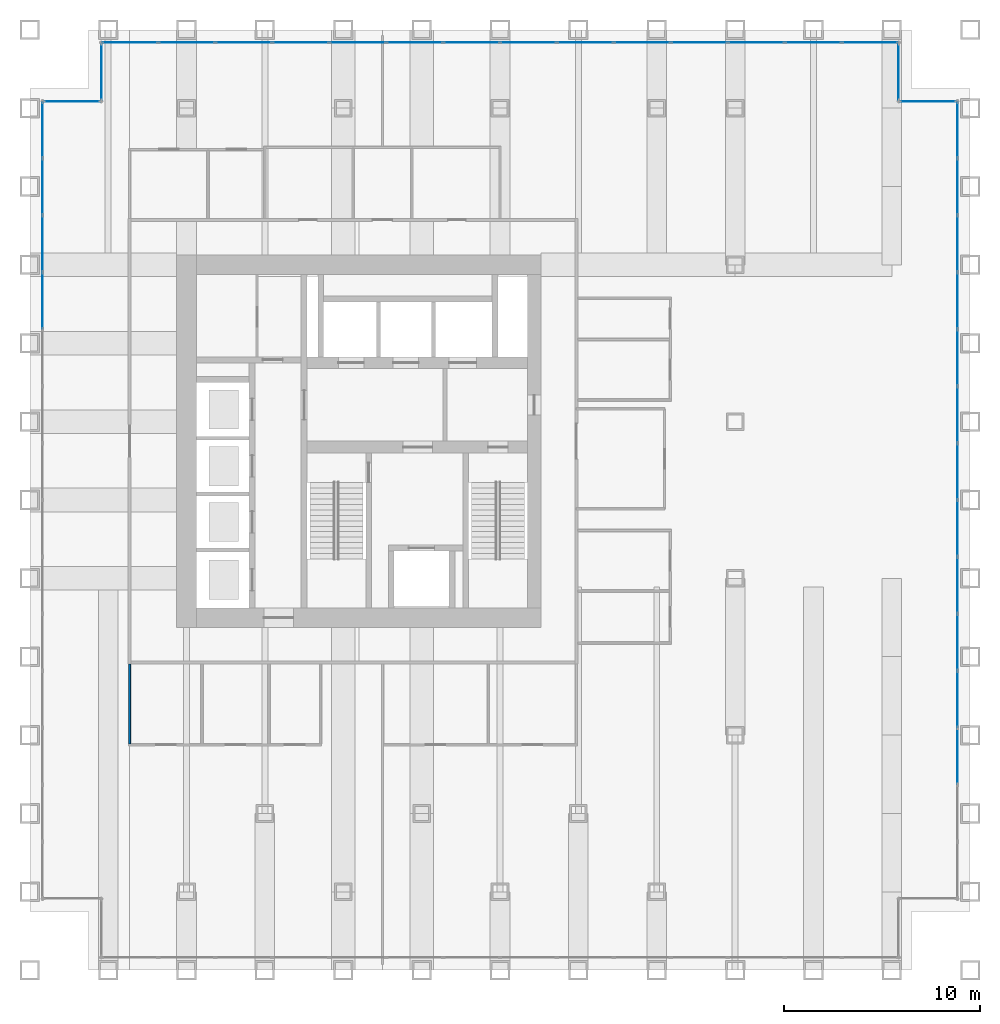
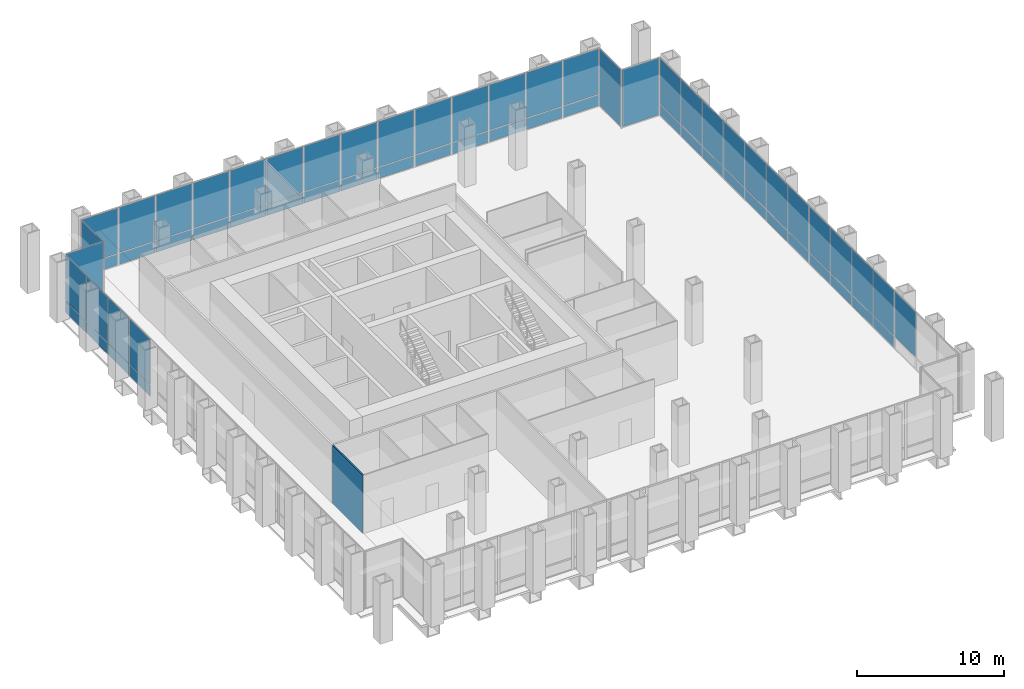
# One storey, part 11 of 16: 63 plates, 1 wall, 7 elements without a shape of their own.
"""IFC4 building model written with IfcOpenShell, lengths in metres."""

from ifc_helpers import new_model, si_unit, direction, frame, frame_2d, origin, origin_2d, place, context, subcontext, project, spatial, rectangle, extrude, material, layer, layer_set, type_object, element, aggregate, save


model = new_model("IFC4")

# Units and contexts
model_context = context("Model", 3, precision=1e-05, world=origin(), true_north=direction((0.0, 1.0)))
body_context = subcontext(model_context, "Body", "Model", "MODEL_VIEW")
ifc_project = project(units=[si_unit("LENGTHUNIT", "METRE"), si_unit("AREAUNIT", "SQUARE_METRE"), si_unit("VOLUMEUNIT", "CUBIC_METRE"), si_unit("PLANEANGLEUNIT", "RADIAN"), si_unit("MASSUNIT", "GRAM", prefix="KILO")], contexts=[model_context])

# Site, building, storey
site_placement = place(None, origin())
site = spatial("IfcSite", under=ifc_project, at=site_placement, CompositionType="ELEMENT")
building_placement = place(site_placement, origin())
building = spatial("IfcBuilding", under=site, at=building_placement, Name="Rimbunsela Tower", CompositionType="ELEMENT")
storey_placement = place(building_placement, frame((0.0, 0.0, 76.39990234375)))
storey = spatial("IfcBuildingStorey", under=building, at=storey_placement, Name="L18", CompositionType="ELEMENT", Elevation=76.39990234375)

# Curtain wall, plates
ifc_material_1 = material(Name="Aluminium curtain wall", Category="aluminium")
curtain_wall_type_1 = type_object("IfcCurtainWallType", Name="Sky lobby glazing", PredefinedType="USERDEFINED", material=ifc_material_1)
curtain_wall_1_placement = place(storey_placement, origin())
curtain_wall_1 = element("IfcCurtainWall", 1, at=curtain_wall_1_placement, inside=storey, type_object=curtain_wall_type_1, Name="Sky lobby glazing L18", ObjectType="SKY LOBBY GLAZING", PredefinedType="USERDEFINED")
ifc_material_2 = material(Name="Clear double glazing", Category="glass")
ifc_layer_1 = layer(ifc_material_2, 0.028076171875)
ifc_layer_set_1 = layer_set([ifc_layer_1], Name="Glazed panel clear")
plate_type = type_object("IfcPlateType", Name="Glazed panel clear", PredefinedType="CURTAIN_PANEL", material=ifc_layer_set_1)
plate_1_placement = place(storey_placement, frame((57.35009765625, 10.91796875, 1.0302734375), z_axis=(0.0, 0.0, 1.0), x_axis=(0.0, 1.0, 0.0)))
plate_1 = element("IfcPlate", 2, at=plate_1_placement, type_object=plate_type, Name="CW4 panel 3.2", PredefinedType="CURTAIN_PANEL", context=body_context, shape_type="SweptSolid", body=[
    extrude(rectangle(XDim=2.84716796875, YDim=0.028076171875, at=origin_2d()), origin(), (0.0, 0.0, 1.0), 3.760009765625),
])
plate_2_placement = place(storey_placement, frame((57.35009765625, 13.824951171875, 0.06005859375), z_axis=(0.0, 0.0, 1.0), x_axis=(0.0, 1.0, 0.0)))
plate_2 = element("IfcPlate", 3, at=plate_2_placement, type_object=plate_type, Name="CW4 panel 4.1", PredefinedType="CURTAIN_PANEL", context=body_context, shape_type="SweptSolid", body=[
    extrude(rectangle(XDim=2.84716796875, YDim=0.028076171875, at=origin_2d()), origin(), (0.0, 0.0, 1.0), 0.909912109375),
])
plate_3_placement = place(storey_placement, frame((57.35009765625, 13.824951171875, 1.0302734375), z_axis=(0.0, 0.0, 1.0), x_axis=(0.0, 1.0, 0.0)))
plate_3 = element("IfcPlate", 4, at=plate_3_placement, type_object=plate_type, Name="CW4 panel 4.2", PredefinedType="CURTAIN_PANEL", context=body_context, shape_type="SweptSolid", body=[
    extrude(rectangle(XDim=2.84716796875, YDim=0.028076171875, at=origin_2d()), origin(), (0.0, 0.0, 1.0), 3.760009765625),
])
plate_4_placement = place(storey_placement, frame((57.35009765625, 16.732177734375, 0.06005859375), z_axis=(0.0, 0.0, 1.0), x_axis=(0.0, 1.0, 0.0)))
plate_4 = element("IfcPlate", 5, at=plate_4_placement, type_object=plate_type, Name="CW4 panel 5.1", PredefinedType="CURTAIN_PANEL", context=body_context, shape_type="SweptSolid", body=[
    extrude(rectangle(XDim=2.84716796875, YDim=0.028076171875, at=origin_2d()), origin(), (0.0, 0.0, 1.0), 0.909912109375),
])
plate_5_placement = place(storey_placement, frame((57.35009765625, 16.732177734375, 1.0302734375), z_axis=(0.0, 0.0, 1.0), x_axis=(0.0, 1.0, 0.0)))
plate_5 = element("IfcPlate", 6, at=plate_5_placement, type_object=plate_type, Name="CW4 panel 5.2", PredefinedType="CURTAIN_PANEL", context=body_context, shape_type="SweptSolid", body=[
    extrude(rectangle(XDim=2.84716796875, YDim=0.028076171875, at=origin_2d()), origin(), (0.0, 0.0, 1.0), 3.760009765625),
])
plate_6_placement = place(storey_placement, frame((57.35009765625, 19.639404296875, 0.06005859375), z_axis=(0.0, 0.0, 1.0), x_axis=(0.0, 1.0, 0.0)))
plate_6 = element("IfcPlate", 7, at=plate_6_placement, type_object=plate_type, Name="CW4 panel 6.1", PredefinedType="CURTAIN_PANEL", context=body_context, shape_type="SweptSolid", body=[
    extrude(rectangle(XDim=2.84716796875, YDim=0.028076171875, at=origin_2d()), origin(), (0.0, 0.0, 1.0), 0.909912109375),
])
plate_7_placement = place(storey_placement, frame((57.35009765625, 19.639404296875, 1.0302734375), z_axis=(0.0, 0.0, 1.0), x_axis=(0.0, 1.0, 0.0)))
plate_7 = element("IfcPlate", 8, at=plate_7_placement, type_object=plate_type, Name="CW4 panel 6.2", PredefinedType="CURTAIN_PANEL", context=body_context, shape_type="SweptSolid", body=[
    extrude(rectangle(XDim=2.84716796875, YDim=0.028076171875, at=origin_2d()), origin(), (0.0, 0.0, 1.0), 3.760009765625),
])
plate_8_placement = place(storey_placement, frame((57.35009765625, 22.54638671875, 0.06005859375), z_axis=(0.0, 0.0, 1.0), x_axis=(0.0, 1.0, 0.0)))
plate_8 = element("IfcPlate", 9, at=plate_8_placement, type_object=plate_type, Name="CW4 panel 7.1", PredefinedType="CURTAIN_PANEL", context=body_context, shape_type="SweptSolid", body=[
    extrude(rectangle(XDim=2.84716796875, YDim=0.028076171875, at=origin_2d()), origin(), (0.0, 0.0, 1.0), 0.909912109375),
])
plate_9_placement = place(storey_placement, frame((57.35009765625, 22.54638671875, 1.0302734375), z_axis=(0.0, 0.0, 1.0), x_axis=(0.0, 1.0, 0.0)))
plate_9 = element("IfcPlate", 10, at=plate_9_placement, type_object=plate_type, Name="CW4 panel 7.2", PredefinedType="CURTAIN_PANEL", context=body_context, shape_type="SweptSolid", body=[
    extrude(rectangle(XDim=2.84716796875, YDim=0.028076171875, at=origin_2d()), origin(), (0.0, 0.0, 1.0), 3.760009765625),
])
plate_10_placement = place(storey_placement, frame((57.35009765625, 25.45361328125, 0.06005859375), z_axis=(0.0, 0.0, 1.0), x_axis=(0.0, 1.0, 0.0)))
plate_10 = element("IfcPlate", 11, at=plate_10_placement, type_object=plate_type, Name="CW4 panel 8.1", PredefinedType="CURTAIN_PANEL", context=body_context, shape_type="SweptSolid", body=[
    extrude(rectangle(XDim=2.84716796875, YDim=0.028076171875, at=origin_2d()), origin(), (0.0, 0.0, 1.0), 0.909912109375),
])
plate_11_placement = place(storey_placement, frame((57.35009765625, 25.45361328125, 1.0302734375), z_axis=(0.0, 0.0, 1.0), x_axis=(0.0, 1.0, 0.0)))
plate_11 = element("IfcPlate", 12, at=plate_11_placement, type_object=plate_type, Name="CW4 panel 8.2", PredefinedType="CURTAIN_PANEL", context=body_context, shape_type="SweptSolid", body=[
    extrude(rectangle(XDim=2.84716796875, YDim=0.028076171875, at=origin_2d()), origin(), (0.0, 0.0, 1.0), 3.760009765625),
])
plate_12_placement = place(storey_placement, frame((57.35009765625, 28.360595703125, 0.06005859375), z_axis=(0.0, 0.0, 1.0), x_axis=(0.0, 1.0, 0.0)))
plate_12 = element("IfcPlate", 13, at=plate_12_placement, type_object=plate_type, Name="CW4 panel 9.1", PredefinedType="CURTAIN_PANEL", context=body_context, shape_type="SweptSolid", body=[
    extrude(rectangle(XDim=2.84716796875, YDim=0.028076171875, at=origin_2d()), origin(), (0.0, 0.0, 1.0), 0.909912109375),
])
plate_13_placement = place(storey_placement, frame((57.35009765625, 28.360595703125, 1.0302734375), z_axis=(0.0, 0.0, 1.0), x_axis=(0.0, 1.0, 0.0)))
plate_13 = element("IfcPlate", 14, at=plate_13_placement, type_object=plate_type, Name="CW4 panel 9.2", PredefinedType="CURTAIN_PANEL", context=body_context, shape_type="SweptSolid", body=[
    extrude(rectangle(XDim=2.84716796875, YDim=0.028076171875, at=origin_2d()), origin(), (0.0, 0.0, 1.0), 3.760009765625),
])
plate_14_placement = place(storey_placement, frame((57.35009765625, 31.267822265625, 0.06005859375), z_axis=(0.0, 0.0, 1.0), x_axis=(0.0, 1.0, 0.0)))
plate_14 = element("IfcPlate", 15, at=plate_14_placement, type_object=plate_type, Name="CW4 panel 10.1", PredefinedType="CURTAIN_PANEL", context=body_context, shape_type="SweptSolid", body=[
    extrude(rectangle(XDim=2.84716796875, YDim=0.028076171875, at=origin_2d()), origin(), (0.0, 0.0, 1.0), 0.909912109375),
])
plate_15_placement = place(storey_placement, frame((57.35009765625, 31.267822265625, 1.0302734375), z_axis=(0.0, 0.0, 1.0), x_axis=(0.0, 1.0, 0.0)))
plate_15 = element("IfcPlate", 16, at=plate_15_placement, type_object=plate_type, Name="CW4 panel 10.2", PredefinedType="CURTAIN_PANEL", context=body_context, shape_type="SweptSolid", body=[
    extrude(rectangle(XDim=2.84716796875, YDim=0.028076171875, at=origin_2d()), origin(), (0.0, 0.0, 1.0), 3.760009765625),
])
plate_16_placement = place(storey_placement, frame((57.35009765625, 34.175048828125, 0.06005859375), z_axis=(0.0, 0.0, 1.0), x_axis=(0.0, 1.0, 0.0)))
plate_16 = element("IfcPlate", 17, at=plate_16_placement, type_object=plate_type, Name="CW4 panel 11.1", PredefinedType="CURTAIN_PANEL", context=body_context, shape_type="SweptSolid", body=[
    extrude(rectangle(XDim=2.84716796875, YDim=0.028076171875, at=origin_2d()), origin(), (0.0, 0.0, 1.0), 0.909912109375),
])
plate_17_placement = place(storey_placement, frame((57.35009765625, 34.175048828125, 1.0302734375), z_axis=(0.0, 0.0, 1.0), x_axis=(0.0, 1.0, 0.0)))
plate_17 = element("IfcPlate", 18, at=plate_17_placement, type_object=plate_type, Name="CW4 panel 11.2", PredefinedType="CURTAIN_PANEL", context=body_context, shape_type="SweptSolid", body=[
    extrude(rectangle(XDim=2.84716796875, YDim=0.028076171875, at=origin_2d()), origin(), (0.0, 0.0, 1.0), 3.760009765625),
])
plate_18_placement = place(storey_placement, frame((57.35009765625, 37.08203125, 0.06005859375), z_axis=(0.0, 0.0, 1.0), x_axis=(0.0, 1.0, 0.0)))
plate_18 = element("IfcPlate", 19, at=plate_18_placement, type_object=plate_type, Name="CW4 panel 12.1", PredefinedType="CURTAIN_PANEL", context=body_context, shape_type="SweptSolid", body=[
    extrude(rectangle(XDim=2.84716796875, YDim=0.028076171875, at=origin_2d()), origin(), (0.0, 0.0, 1.0), 0.909912109375),
])
plate_19_placement = place(storey_placement, frame((57.35009765625, 37.08203125, 1.0302734375), z_axis=(0.0, 0.0, 1.0), x_axis=(0.0, 1.0, 0.0)))
plate_19 = element("IfcPlate", 20, at=plate_19_placement, type_object=plate_type, Name="CW4 panel 12.2", PredefinedType="CURTAIN_PANEL", context=body_context, shape_type="SweptSolid", body=[
    extrude(rectangle(XDim=2.84716796875, YDim=0.028076171875, at=origin_2d()), origin(), (0.0, 0.0, 1.0), 3.760009765625),
])
plate_20_placement = place(storey_placement, frame((57.35009765625, 39.9892578125, 0.06005859375), z_axis=(0.0, 0.0, 1.0), x_axis=(0.0, 1.0, 0.0)))
plate_20 = element("IfcPlate", 21, at=plate_20_placement, type_object=plate_type, Name="CW4 panel 13.1", PredefinedType="CURTAIN_PANEL", context=body_context, shape_type="SweptSolid", body=[
    extrude(rectangle(XDim=2.84716796875, YDim=0.028076171875, at=origin_2d()), origin(), (0.0, 0.0, 1.0), 0.909912109375),
])
plate_21_placement = place(storey_placement, frame((57.35009765625, 39.9892578125, 1.0302734375), z_axis=(0.0, 0.0, 1.0), x_axis=(0.0, 1.0, 0.0)))
plate_21 = element("IfcPlate", 22, at=plate_21_placement, type_object=plate_type, Name="CW4 panel 13.2", PredefinedType="CURTAIN_PANEL", context=body_context, shape_type="SweptSolid", body=[
    extrude(rectangle(XDim=2.84716796875, YDim=0.028076171875, at=origin_2d()), origin(), (0.0, 0.0, 1.0), 3.760009765625),
])
plate_22_placement = place(storey_placement, frame((57.35009765625, 42.88134765625, 0.06005859375), z_axis=(0.0, 0.0, 1.0), x_axis=(0.0, 1.0, 0.0)))
plate_22 = element("IfcPlate", 23, at=plate_22_placement, type_object=plate_type, Name="CW4 panel 14.1", PredefinedType="CURTAIN_PANEL", context=body_context, shape_type="SweptSolid", body=[
    extrude(rectangle(XDim=2.817138671875, YDim=0.028076171875, at=origin_2d()), origin(), (0.0, 0.0, 1.0), 0.909912109375),
])
plate_23_placement = place(storey_placement, frame((57.35009765625, 42.88134765625, 1.0302734375), z_axis=(0.0, 0.0, 1.0), x_axis=(0.0, 1.0, 0.0)))
plate_23 = element("IfcPlate", 24, at=plate_23_placement, type_object=plate_type, Name="CW4 panel 14.2", PredefinedType="CURTAIN_PANEL", context=body_context, shape_type="SweptSolid", body=[
    extrude(rectangle(XDim=2.817138671875, YDim=0.028076171875, at=origin_2d()), origin(), (0.0, 0.0, 1.0), 3.760009765625),
])
aggregate(curtain_wall_1, [plate_1, plate_2, plate_3, plate_4, plate_5, plate_6, plate_7, plate_8, plate_9, plate_10, plate_11, plate_12, plate_13, plate_14, plate_15, plate_16, plate_17, plate_18, plate_19, plate_20, plate_21, plate_22, plate_23])

# Curtain wall, plate
ifc_material_3 = material(Name="Aluminium curtain wall", Category="aluminium")
curtain_wall_type_2 = type_object("IfcCurtainWallType", Name="Corner glazing", PredefinedType="USERDEFINED", material=ifc_material_3)
curtain_wall_2_placement = place(storey_placement, origin())
curtain_wall_2 = element("IfcCurtainWall", 25, at=curtain_wall_2_placement, inside=storey, type_object=curtain_wall_type_2, Name="Corner glazing L18", ObjectType="CORNER GLAZING", PredefinedType="USERDEFINED")
plate_24_placement = place(storey_placement, frame((55.85009765625, 44.35009765625, 0.06005859375), z_axis=(0.0, 0.0, 1.0), x_axis=(-1.0, 0.0, 0.0)))
plate_24 = element("IfcPlate", 26, at=plate_24_placement, type_object=plate_type, Name="CW5 panel 1.1", PredefinedType="CURTAIN_PANEL", context=body_context, shape_type="SweptSolid", body=[
    extrude(rectangle(XDim=2.8798828125, YDim=0.028076171875, at=origin_2d()), origin(), (0.0, 0.0, 1.0), 4.72998046875),
])
aggregate(curtain_wall_2, [plate_24])

curtain_wall_3_placement = place(storey_placement, origin())
curtain_wall_3 = element("IfcCurtainWall", 27, at=curtain_wall_3_placement, inside=storey, type_object=curtain_wall_type_2, Name="Corner glazing L18", ObjectType="CORNER GLAZING", PredefinedType="USERDEFINED")
plate_25_placement = place(storey_placement, frame((54.35009765625, 45.85009765625, 0.06005859375), z_axis=(0.0, 0.0, 1.0), x_axis=(0.0, 1.0, 0.0)))
plate_25 = element("IfcPlate", 28, at=plate_25_placement, type_object=plate_type, Name="CW5 panel 1.1", PredefinedType="CURTAIN_PANEL", context=body_context, shape_type="SweptSolid", body=[
    extrude(rectangle(XDim=2.8798828125, YDim=0.028076171875, at=origin_2d()), origin(), (0.0, 0.0, 1.0), 4.72998046875),
])
aggregate(curtain_wall_3, [plate_25])

# Curtain wall, plates
curtain_wall_4_placement = place(storey_placement, origin())
curtain_wall_4 = element("IfcCurtainWall", 29, at=curtain_wall_4_placement, inside=storey, type_object=curtain_wall_type_1, Name="Sky lobby glazing L18", ObjectType="SKY LOBBY GLAZING", PredefinedType="USERDEFINED")
plate_26_placement = place(storey_placement, frame((52.88134765625, 47.35009765625, 0.06005859375), z_axis=(0.0, 0.0, 1.0), x_axis=(-1.0, 0.0, 0.0)))
plate_26 = element("IfcPlate", 30, at=plate_26_placement, type_object=plate_type, Name="CW4 panel 1.1", PredefinedType="CURTAIN_PANEL", context=body_context, shape_type="SweptSolid", body=[
    extrude(rectangle(XDim=2.817138671875, YDim=0.028076171875, at=origin_2d()), origin(), (0.0, 0.0, 1.0), 0.909912109375),
])
plate_27_placement = place(storey_placement, frame((52.88134765625, 47.35009765625, 1.0302734375), z_axis=(0.0, 0.0, 1.0), x_axis=(-1.0, 0.0, 0.0)))
plate_27 = element("IfcPlate", 31, at=plate_27_placement, type_object=plate_type, Name="CW4 panel 1.2", PredefinedType="CURTAIN_PANEL", context=body_context, shape_type="SweptSolid", body=[
    extrude(rectangle(XDim=2.817138671875, YDim=0.028076171875, at=origin_2d()), origin(), (0.0, 0.0, 1.0), 3.760009765625),
])
plate_28_placement = place(storey_placement, frame((49.9892578125, 47.35009765625, 0.06005859375), z_axis=(0.0, 0.0, 1.0), x_axis=(-1.0, 0.0, 0.0)))
plate_28 = element("IfcPlate", 32, at=plate_28_placement, type_object=plate_type, Name="CW4 panel 2.1", PredefinedType="CURTAIN_PANEL", context=body_context, shape_type="SweptSolid", body=[
    extrude(rectangle(XDim=2.84716796875, YDim=0.028076171875, at=origin_2d()), origin(), (0.0, 0.0, 1.0), 0.909912109375),
])
plate_29_placement = place(storey_placement, frame((49.9892578125, 47.35009765625, 1.0302734375), z_axis=(0.0, 0.0, 1.0), x_axis=(-1.0, 0.0, 0.0)))
plate_29 = element("IfcPlate", 33, at=plate_29_placement, type_object=plate_type, Name="CW4 panel 2.2", PredefinedType="CURTAIN_PANEL", context=body_context, shape_type="SweptSolid", body=[
    extrude(rectangle(XDim=2.84716796875, YDim=0.028076171875, at=origin_2d()), origin(), (0.0, 0.0, 1.0), 3.760009765625),
])
plate_30_placement = place(storey_placement, frame((47.08203125, 47.35009765625, 0.06005859375), z_axis=(0.0, 0.0, 1.0), x_axis=(-1.0, 0.0, 0.0)))
plate_30 = element("IfcPlate", 34, at=plate_30_placement, type_object=plate_type, Name="CW4 panel 3.1", PredefinedType="CURTAIN_PANEL", context=body_context, shape_type="SweptSolid", body=[
    extrude(rectangle(XDim=2.84716796875, YDim=0.028076171875, at=origin_2d()), origin(), (0.0, 0.0, 1.0), 0.909912109375),
])
plate_31_placement = place(storey_placement, frame((47.08203125, 47.35009765625, 1.0302734375), z_axis=(0.0, 0.0, 1.0), x_axis=(-1.0, 0.0, 0.0)))
plate_31 = element("IfcPlate", 35, at=plate_31_placement, type_object=plate_type, Name="CW4 panel 3.2", PredefinedType="CURTAIN_PANEL", context=body_context, shape_type="SweptSolid", body=[
    extrude(rectangle(XDim=2.84716796875, YDim=0.028076171875, at=origin_2d()), origin(), (0.0, 0.0, 1.0), 3.760009765625),
])
plate_32_placement = place(storey_placement, frame((44.175048828125, 47.35009765625, 0.06005859375), z_axis=(0.0, 0.0, 1.0), x_axis=(-1.0, 0.0, 0.0)))
plate_32 = element("IfcPlate", 36, at=plate_32_placement, type_object=plate_type, Name="CW4 panel 4.1", PredefinedType="CURTAIN_PANEL", context=body_context, shape_type="SweptSolid", body=[
    extrude(rectangle(XDim=2.84716796875, YDim=0.028076171875, at=origin_2d()), origin(), (0.0, 0.0, 1.0), 0.909912109375),
])
plate_33_placement = place(storey_placement, frame((44.175048828125, 47.35009765625, 1.0302734375), z_axis=(0.0, 0.0, 1.0), x_axis=(-1.0, 0.0, 0.0)))
plate_33 = element("IfcPlate", 37, at=plate_33_placement, type_object=plate_type, Name="CW4 panel 4.2", PredefinedType="CURTAIN_PANEL", context=body_context, shape_type="SweptSolid", body=[
    extrude(rectangle(XDim=2.84716796875, YDim=0.028076171875, at=origin_2d()), origin(), (0.0, 0.0, 1.0), 3.760009765625),
])
plate_34_placement = place(storey_placement, frame((41.267822265625, 47.35009765625, 0.06005859375), z_axis=(0.0, 0.0, 1.0), x_axis=(-1.0, 0.0, 0.0)))
plate_34 = element("IfcPlate", 38, at=plate_34_placement, type_object=plate_type, Name="CW4 panel 5.1", PredefinedType="CURTAIN_PANEL", context=body_context, shape_type="SweptSolid", body=[
    extrude(rectangle(XDim=2.84716796875, YDim=0.028076171875, at=origin_2d()), origin(), (0.0, 0.0, 1.0), 0.909912109375),
])
plate_35_placement = place(storey_placement, frame((41.267822265625, 47.35009765625, 1.0302734375), z_axis=(0.0, 0.0, 1.0), x_axis=(-1.0, 0.0, 0.0)))
plate_35 = element("IfcPlate", 39, at=plate_35_placement, type_object=plate_type, Name="CW4 panel 5.2", PredefinedType="CURTAIN_PANEL", context=body_context, shape_type="SweptSolid", body=[
    extrude(rectangle(XDim=2.84716796875, YDim=0.028076171875, at=origin_2d()), origin(), (0.0, 0.0, 1.0), 3.760009765625),
])
plate_36_placement = place(storey_placement, frame((38.360595703125, 47.35009765625, 0.06005859375), z_axis=(0.0, 0.0, 1.0), x_axis=(-1.0, 0.0, 0.0)))
plate_36 = element("IfcPlate", 40, at=plate_36_placement, type_object=plate_type, Name="CW4 panel 6.1", PredefinedType="CURTAIN_PANEL", context=body_context, shape_type="SweptSolid", body=[
    extrude(rectangle(XDim=2.84716796875, YDim=0.028076171875, at=origin_2d()), origin(), (0.0, 0.0, 1.0), 0.909912109375),
])
plate_37_placement = place(storey_placement, frame((38.360595703125, 47.35009765625, 1.0302734375), z_axis=(0.0, 0.0, 1.0), x_axis=(-1.0, 0.0, 0.0)))
plate_37 = element("IfcPlate", 41, at=plate_37_placement, type_object=plate_type, Name="CW4 panel 6.2", PredefinedType="CURTAIN_PANEL", context=body_context, shape_type="SweptSolid", body=[
    extrude(rectangle(XDim=2.84716796875, YDim=0.028076171875, at=origin_2d()), origin(), (0.0, 0.0, 1.0), 3.760009765625),
])
plate_38_placement = place(storey_placement, frame((35.45361328125, 47.35009765625, 0.06005859375), z_axis=(0.0, 0.0, 1.0), x_axis=(-1.0, 0.0, 0.0)))
plate_38 = element("IfcPlate", 42, at=plate_38_placement, type_object=plate_type, Name="CW4 panel 7.1", PredefinedType="CURTAIN_PANEL", context=body_context, shape_type="SweptSolid", body=[
    extrude(rectangle(XDim=2.84716796875, YDim=0.028076171875, at=origin_2d()), origin(), (0.0, 0.0, 1.0), 0.909912109375),
])
plate_39_placement = place(storey_placement, frame((35.45361328125, 47.35009765625, 1.0302734375), z_axis=(0.0, 0.0, 1.0), x_axis=(-1.0, 0.0, 0.0)))
plate_39 = element("IfcPlate", 43, at=plate_39_placement, type_object=plate_type, Name="CW4 panel 7.2", PredefinedType="CURTAIN_PANEL", context=body_context, shape_type="SweptSolid", body=[
    extrude(rectangle(XDim=2.84716796875, YDim=0.028076171875, at=origin_2d()), origin(), (0.0, 0.0, 1.0), 3.760009765625),
])
plate_40_placement = place(storey_placement, frame((32.54638671875, 47.35009765625, 0.06005859375), z_axis=(0.0, 0.0, 1.0), x_axis=(-1.0, 0.0, 0.0)))
plate_40 = element("IfcPlate", 44, at=plate_40_placement, type_object=plate_type, Name="CW4 panel 8.1", PredefinedType="CURTAIN_PANEL", context=body_context, shape_type="SweptSolid", body=[
    extrude(rectangle(XDim=2.84716796875, YDim=0.028076171875, at=origin_2d()), origin(), (0.0, 0.0, 1.0), 0.909912109375),
])
plate_41_placement = place(storey_placement, frame((32.54638671875, 47.35009765625, 1.0302734375), z_axis=(0.0, 0.0, 1.0), x_axis=(-1.0, 0.0, 0.0)))
plate_41 = element("IfcPlate", 45, at=plate_41_placement, type_object=plate_type, Name="CW4 panel 8.2", PredefinedType="CURTAIN_PANEL", context=body_context, shape_type="SweptSolid", body=[
    extrude(rectangle(XDim=2.84716796875, YDim=0.028076171875, at=origin_2d()), origin(), (0.0, 0.0, 1.0), 3.760009765625),
])
plate_42_placement = place(storey_placement, frame((29.639404296875, 47.35009765625, 0.06005859375), z_axis=(0.0, 0.0, 1.0), x_axis=(-1.0, 0.0, 0.0)))
plate_42 = element("IfcPlate", 46, at=plate_42_placement, type_object=plate_type, Name="CW4 panel 9.1", PredefinedType="CURTAIN_PANEL", context=body_context, shape_type="SweptSolid", body=[
    extrude(rectangle(XDim=2.84716796875, YDim=0.028076171875, at=origin_2d()), origin(), (0.0, 0.0, 1.0), 0.909912109375),
])
plate_43_placement = place(storey_placement, frame((29.639404296875, 47.35009765625, 1.0302734375), z_axis=(0.0, 0.0, 1.0), x_axis=(-1.0, 0.0, 0.0)))
plate_43 = element("IfcPlate", 47, at=plate_43_placement, type_object=plate_type, Name="CW4 panel 9.2", PredefinedType="CURTAIN_PANEL", context=body_context, shape_type="SweptSolid", body=[
    extrude(rectangle(XDim=2.84716796875, YDim=0.028076171875, at=origin_2d()), origin(), (0.0, 0.0, 1.0), 3.760009765625),
])
plate_44_placement = place(storey_placement, frame((26.732177734375, 47.35009765625, 0.06005859375), z_axis=(0.0, 0.0, 1.0), x_axis=(-1.0, 0.0, 0.0)))
plate_44 = element("IfcPlate", 48, at=plate_44_placement, type_object=plate_type, Name="CW4 panel 10.1", PredefinedType="CURTAIN_PANEL", context=body_context, shape_type="SweptSolid", body=[
    extrude(rectangle(XDim=2.84716796875, YDim=0.028076171875, at=origin_2d()), origin(), (0.0, 0.0, 1.0), 0.909912109375),
])
plate_45_placement = place(storey_placement, frame((26.732177734375, 47.35009765625, 1.0302734375), z_axis=(0.0, 0.0, 1.0), x_axis=(-1.0, 0.0, 0.0)))
plate_45 = element("IfcPlate", 49, at=plate_45_placement, type_object=plate_type, Name="CW4 panel 10.2", PredefinedType="CURTAIN_PANEL", context=body_context, shape_type="SweptSolid", body=[
    extrude(rectangle(XDim=2.84716796875, YDim=0.028076171875, at=origin_2d()), origin(), (0.0, 0.0, 1.0), 3.760009765625),
])
plate_46_placement = place(storey_placement, frame((23.824951171875, 47.35009765625, 0.06005859375), z_axis=(0.0, 0.0, 1.0), x_axis=(-1.0, 0.0, 0.0)))
plate_46 = element("IfcPlate", 50, at=plate_46_placement, type_object=plate_type, Name="CW4 panel 11.1", PredefinedType="CURTAIN_PANEL", context=body_context, shape_type="SweptSolid", body=[
    extrude(rectangle(XDim=2.84716796875, YDim=0.028076171875, at=origin_2d()), origin(), (0.0, 0.0, 1.0), 0.909912109375),
])
plate_47_placement = place(storey_placement, frame((23.824951171875, 47.35009765625, 1.0302734375), z_axis=(0.0, 0.0, 1.0), x_axis=(-1.0, 0.0, 0.0)))
plate_47 = element("IfcPlate", 51, at=plate_47_placement, type_object=plate_type, Name="CW4 panel 11.2", PredefinedType="CURTAIN_PANEL", context=body_context, shape_type="SweptSolid", body=[
    extrude(rectangle(XDim=2.84716796875, YDim=0.028076171875, at=origin_2d()), origin(), (0.0, 0.0, 1.0), 3.760009765625),
])
plate_48_placement = place(storey_placement, frame((20.91796875, 47.35009765625, 0.06005859375), z_axis=(0.0, 0.0, 1.0), x_axis=(-1.0, 0.0, 0.0)))
plate_48 = element("IfcPlate", 52, at=plate_48_placement, type_object=plate_type, Name="CW4 panel 12.1", PredefinedType="CURTAIN_PANEL", context=body_context, shape_type="SweptSolid", body=[
    extrude(rectangle(XDim=2.84716796875, YDim=0.028076171875, at=origin_2d()), origin(), (0.0, 0.0, 1.0), 0.909912109375),
])
plate_49_placement = place(storey_placement, frame((20.91796875, 47.35009765625, 1.0302734375), z_axis=(0.0, 0.0, 1.0), x_axis=(-1.0, 0.0, 0.0)))
plate_49 = element("IfcPlate", 53, at=plate_49_placement, type_object=plate_type, Name="CW4 panel 12.2", PredefinedType="CURTAIN_PANEL", context=body_context, shape_type="SweptSolid", body=[
    extrude(rectangle(XDim=2.84716796875, YDim=0.028076171875, at=origin_2d()), origin(), (0.0, 0.0, 1.0), 3.760009765625),
])
plate_50_placement = place(storey_placement, frame((18.0107421875, 47.35009765625, 0.06005859375), z_axis=(0.0, 0.0, 1.0), x_axis=(-1.0, 0.0, 0.0)))
plate_50 = element("IfcPlate", 54, at=plate_50_placement, type_object=plate_type, Name="CW4 panel 13.1", PredefinedType="CURTAIN_PANEL", context=body_context, shape_type="SweptSolid", body=[
    extrude(rectangle(XDim=2.84716796875, YDim=0.028076171875, at=origin_2d()), origin(), (0.0, 0.0, 1.0), 0.909912109375),
])
plate_51_placement = place(storey_placement, frame((18.0107421875, 47.35009765625, 1.0302734375), z_axis=(0.0, 0.0, 1.0), x_axis=(-1.0, 0.0, 0.0)))
plate_51 = element("IfcPlate", 55, at=plate_51_placement, type_object=plate_type, Name="CW4 panel 13.2", PredefinedType="CURTAIN_PANEL", context=body_context, shape_type="SweptSolid", body=[
    extrude(rectangle(XDim=2.84716796875, YDim=0.028076171875, at=origin_2d()), origin(), (0.0, 0.0, 1.0), 3.760009765625),
])
plate_52_placement = place(storey_placement, frame((15.11865234375, 47.35009765625, 0.06005859375), z_axis=(0.0, 0.0, 1.0), x_axis=(-1.0, 0.0, 0.0)))
plate_52 = element("IfcPlate", 56, at=plate_52_placement, type_object=plate_type, Name="CW4 panel 14.1", PredefinedType="CURTAIN_PANEL", context=body_context, shape_type="SweptSolid", body=[
    extrude(rectangle(XDim=2.817138671875, YDim=0.028076171875, at=origin_2d()), origin(), (0.0, 0.0, 1.0), 0.909912109375),
])
plate_53_placement = place(storey_placement, frame((15.11865234375, 47.35009765625, 1.0302734375), z_axis=(0.0, 0.0, 1.0), x_axis=(-1.0, 0.0, 0.0)))
plate_53 = element("IfcPlate", 57, at=plate_53_placement, type_object=plate_type, Name="CW4 panel 14.2", PredefinedType="CURTAIN_PANEL", context=body_context, shape_type="SweptSolid", body=[
    extrude(rectangle(XDim=2.817138671875, YDim=0.028076171875, at=origin_2d()), origin(), (0.0, 0.0, 1.0), 3.760009765625),
])
aggregate(curtain_wall_4, [plate_26, plate_27, plate_28, plate_29, plate_30, plate_31, plate_32, plate_33, plate_34, plate_35, plate_36, plate_37, plate_38, plate_39, plate_40, plate_41, plate_42, plate_43, plate_44, plate_45, plate_46, plate_47, plate_48, plate_49, plate_50, plate_51, plate_52, plate_53])

# Curtain wall, plate
curtain_wall_5_placement = place(storey_placement, origin())
curtain_wall_5 = element("IfcCurtainWall", 58, at=curtain_wall_5_placement, inside=storey, type_object=curtain_wall_type_2, Name="Corner glazing L18", ObjectType="CORNER GLAZING", PredefinedType="USERDEFINED")
plate_54_placement = place(storey_placement, frame((13.64990234375, 45.85009765625, 0.06005859375), z_axis=(0.0, 0.0, 1.0), x_axis=(0.0, -1.0, 0.0)))
plate_54 = element("IfcPlate", 59, at=plate_54_placement, type_object=plate_type, Name="CW5 panel 1.1", PredefinedType="CURTAIN_PANEL", context=body_context, shape_type="SweptSolid", body=[
    extrude(rectangle(XDim=2.8798828125, YDim=0.028076171875, at=origin_2d()), origin(), (0.0, 0.0, 1.0), 4.72998046875),
])
aggregate(curtain_wall_5, [plate_54])

curtain_wall_6_placement = place(storey_placement, origin())
curtain_wall_6 = element("IfcCurtainWall", 60, at=curtain_wall_6_placement, inside=storey, type_object=curtain_wall_type_2, Name="Corner glazing L18", ObjectType="CORNER GLAZING", PredefinedType="USERDEFINED")
plate_55_placement = place(storey_placement, frame((12.14990234375, 44.35009765625, 0.06005859375), z_axis=(0.0, 0.0, 1.0), x_axis=(-1.0, 0.0, 0.0)))
plate_55 = element("IfcPlate", 61, at=plate_55_placement, type_object=plate_type, Name="CW5 panel 1.1", PredefinedType="CURTAIN_PANEL", context=body_context, shape_type="SweptSolid", body=[
    extrude(rectangle(XDim=2.8798828125, YDim=0.028076171875, at=origin_2d()), origin(), (0.0, 0.0, 1.0), 4.72998046875),
])
aggregate(curtain_wall_6, [plate_55])

# Curtain wall, plates
curtain_wall_7_placement = place(storey_placement, origin())
curtain_wall_7 = element("IfcCurtainWall", 62, at=curtain_wall_7_placement, inside=storey, type_object=curtain_wall_type_1, Name="Sky lobby glazing L18", ObjectType="SKY LOBBY GLAZING", PredefinedType="USERDEFINED")
plate_56_placement = place(storey_placement, frame((10.64990234375, 42.88134765625, 0.06005859375), z_axis=(0.0, 0.0, 1.0), x_axis=(0.0, -1.0, 0.0)))
plate_56 = element("IfcPlate", 63, at=plate_56_placement, type_object=plate_type, Name="CW4 panel 1.1", PredefinedType="CURTAIN_PANEL", context=body_context, shape_type="SweptSolid", body=[
    extrude(rectangle(XDim=2.817138671875, YDim=0.028076171875, at=origin_2d()), origin(), (0.0, 0.0, 1.0), 0.909912109375),
])
plate_57_placement = place(storey_placement, frame((10.64990234375, 42.88134765625, 1.0302734375), z_axis=(0.0, 0.0, 1.0), x_axis=(0.0, -1.0, 0.0)))
plate_57 = element("IfcPlate", 64, at=plate_57_placement, type_object=plate_type, Name="CW4 panel 1.2", PredefinedType="CURTAIN_PANEL", context=body_context, shape_type="SweptSolid", body=[
    extrude(rectangle(XDim=2.817138671875, YDim=0.028076171875, at=origin_2d()), origin(), (0.0, 0.0, 1.0), 3.760009765625),
])
plate_58_placement = place(storey_placement, frame((10.64990234375, 39.9892578125, 0.06005859375), z_axis=(0.0, 0.0, 1.0), x_axis=(0.0, -1.0, 0.0)))
plate_58 = element("IfcPlate", 65, at=plate_58_placement, type_object=plate_type, Name="CW4 panel 2.1", PredefinedType="CURTAIN_PANEL", context=body_context, shape_type="SweptSolid", body=[
    extrude(rectangle(XDim=2.84716796875, YDim=0.028076171875, at=origin_2d()), origin(), (0.0, 0.0, 1.0), 0.909912109375),
])
plate_59_placement = place(storey_placement, frame((10.64990234375, 39.9892578125, 1.0302734375), z_axis=(0.0, 0.0, 1.0), x_axis=(0.0, -1.0, 0.0)))
plate_59 = element("IfcPlate", 66, at=plate_59_placement, type_object=plate_type, Name="CW4 panel 2.2", PredefinedType="CURTAIN_PANEL", context=body_context, shape_type="SweptSolid", body=[
    extrude(rectangle(XDim=2.84716796875, YDim=0.028076171875, at=origin_2d()), origin(), (0.0, 0.0, 1.0), 3.760009765625),
])
plate_60_placement = place(storey_placement, frame((10.64990234375, 37.08203125, 0.06005859375), z_axis=(0.0, 0.0, 1.0), x_axis=(0.0, -1.0, 0.0)))
plate_60 = element("IfcPlate", 67, at=plate_60_placement, type_object=plate_type, Name="CW4 panel 3.1", PredefinedType="CURTAIN_PANEL", context=body_context, shape_type="SweptSolid", body=[
    extrude(rectangle(XDim=2.84716796875, YDim=0.028076171875, at=origin_2d()), origin(), (0.0, 0.0, 1.0), 0.909912109375),
])
plate_61_placement = place(storey_placement, frame((10.64990234375, 37.08203125, 1.0302734375), z_axis=(0.0, 0.0, 1.0), x_axis=(0.0, -1.0, 0.0)))
plate_61 = element("IfcPlate", 68, at=plate_61_placement, type_object=plate_type, Name="CW4 panel 3.2", PredefinedType="CURTAIN_PANEL", context=body_context, shape_type="SweptSolid", body=[
    extrude(rectangle(XDim=2.84716796875, YDim=0.028076171875, at=origin_2d()), origin(), (0.0, 0.0, 1.0), 3.760009765625),
])
plate_62_placement = place(storey_placement, frame((10.64990234375, 34.175048828125, 0.06005859375), z_axis=(0.0, 0.0, 1.0), x_axis=(0.0, -1.0, 0.0)))
plate_62 = element("IfcPlate", 69, at=plate_62_placement, type_object=plate_type, Name="CW4 panel 4.1", PredefinedType="CURTAIN_PANEL", context=body_context, shape_type="SweptSolid", body=[
    extrude(rectangle(XDim=2.84716796875, YDim=0.028076171875, at=origin_2d()), origin(), (0.0, 0.0, 1.0), 0.909912109375),
])
plate_63_placement = place(storey_placement, frame((10.64990234375, 34.175048828125, 1.0302734375), z_axis=(0.0, 0.0, 1.0), x_axis=(0.0, -1.0, 0.0)))
plate_63 = element("IfcPlate", 70, at=plate_63_placement, type_object=plate_type, Name="CW4 panel 4.2", PredefinedType="CURTAIN_PANEL", context=body_context, shape_type="SweptSolid", body=[
    extrude(rectangle(XDim=2.84716796875, YDim=0.028076171875, at=origin_2d()), origin(), (0.0, 0.0, 1.0), 3.760009765625),
])
aggregate(curtain_wall_7, [plate_56, plate_57, plate_58, plate_59, plate_60, plate_61, plate_62, plate_63])

# Wall
ifc_material_4 = material(Name="Gypsum board on steel studs", Category="steel")
ifc_layer_2 = layer(ifc_material_4, 0.10009765625)
ifc_layer_set_2 = layer_set([ifc_layer_2], Name="Office partition 100")
wall_type = type_object("IfcWallType", Name="Office partition 100", PredefinedType="PARTITIONING", material=ifc_layer_set_2)
wall_placement = place(storey_placement, frame((15.10009765625, 11.550048828125, 0.0), z_axis=(0.0, 0.0, 1.0), x_axis=(0.0, 1.0, 0.0)))
element("IfcWall", 71, at=wall_placement, inside=storey, type_object=wall_type, Name="Office partition", PredefinedType="PARTITIONING", context=body_context, shape_type="SweptSolid", body=[
    extrude(rectangle(XDim=4.074951171875, YDim=0.10009765625, at=frame_2d((2.03759765625, 0.0))), origin(), (0.0, 0.0, 1.0), 4.85009765625),
])

save(model, "model.ifc")
